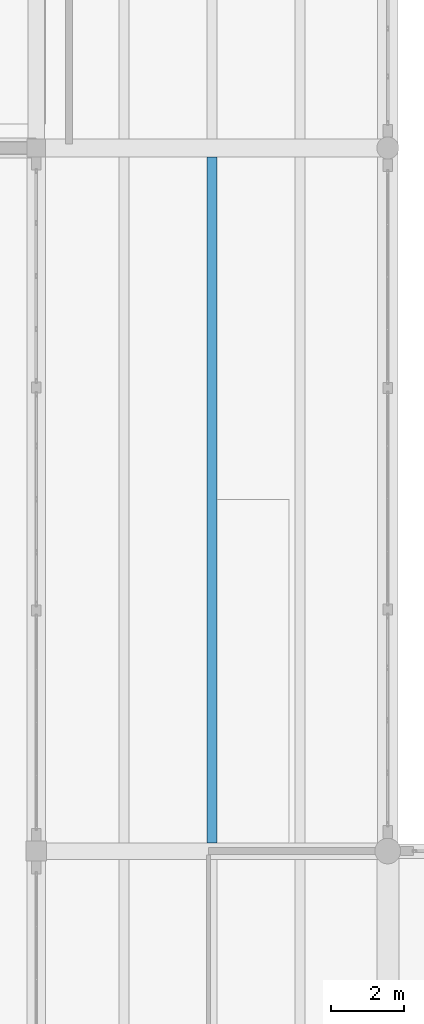
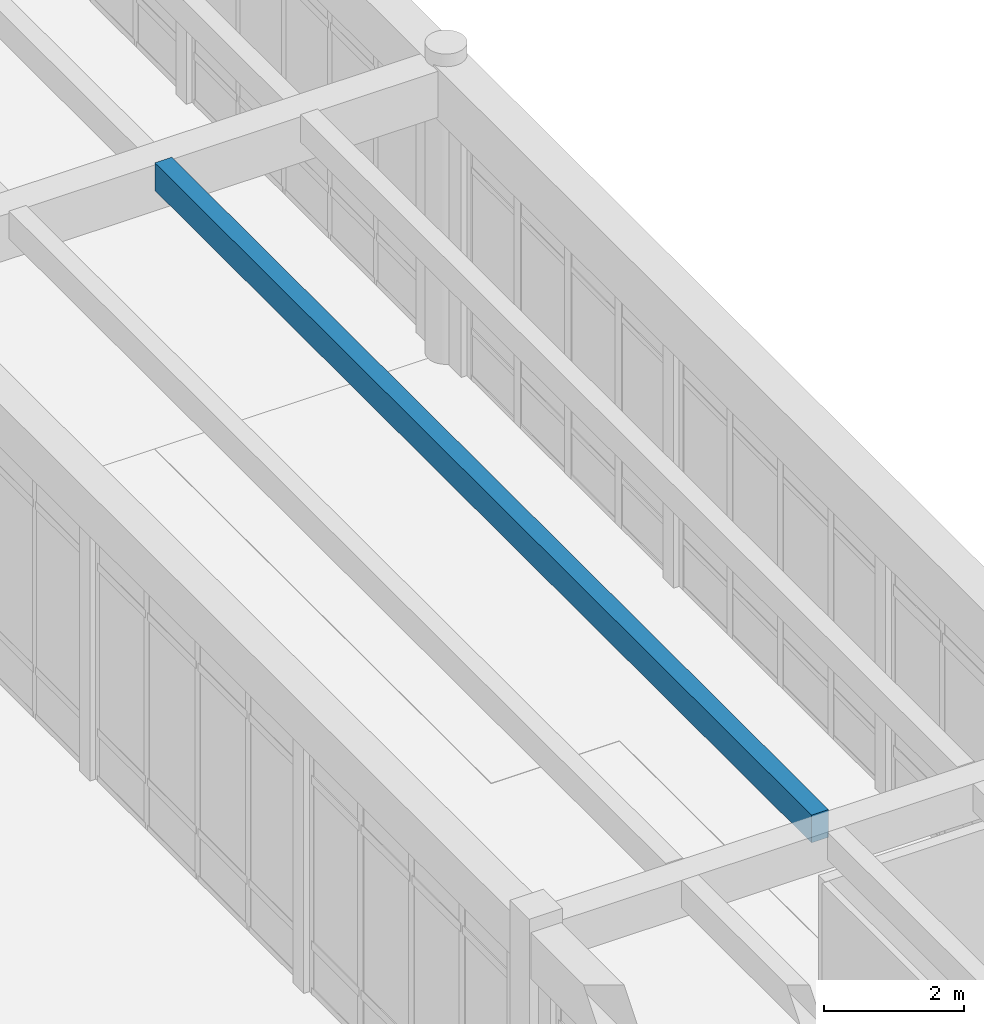
# One storey, part 78 of 138: 1 beam.
"""IFC4 building model written with IfcOpenShell, lengths in metres."""

from ifc_helpers import new_model, si_unit, direction, frame, origin, origin_2d, place, context, subcontext, project, spatial, rectangle, extrude, material, material_profile, profile_set, type_object, element, save


model = new_model("IFC4")

# Units and contexts
model_context = context("Model", 3, precision=1e-05, world=origin(), true_north=direction((0.0, 1.0)))
body_context = subcontext(model_context, "Body", "Model", "MODEL_VIEW")
ifc_project = project(units=[si_unit("LENGTHUNIT", "METRE"), si_unit("AREAUNIT", "SQUARE_METRE"), si_unit("VOLUMEUNIT", "CUBIC_METRE"), si_unit("PLANEANGLEUNIT", "RADIAN"), si_unit("MASSUNIT", "GRAM", prefix="KILO")], contexts=[model_context])

# Site, building, storey
site_placement = place(None, origin())
site = spatial("IfcSite", under=ifc_project, at=site_placement, CompositionType="ELEMENT")
building_placement = place(site_placement, origin())
building = spatial("IfcBuilding", under=site, at=building_placement, Name="Fikremerkos Civic Library", CompositionType="ELEMENT")
storey_placement = place(building_placement, origin())
storey = spatial("IfcBuildingStorey", under=building, at=storey_placement, Name="L00", CompositionType="ELEMENT", Elevation=0.0)

# Beam
ifc_material = material(Name="Concrete C40/50", Category="concrete")
ifc_material_profile = material_profile(ifc_material, rectangle(XDim=0.280029296875, YDim=0.47998046875, at=origin_2d()), Name="RC 280x480")
ifc_profile_set = profile_set([ifc_material_profile], Name="Concrete C40/50")
beam_type = type_object("IfcBeamType", Name="Floor joist JS-04 RC 280x480", PredefinedType="JOIST", material=ifc_profile_set)
beam_placement = place(storey_placement, frame((129.60009765625, 77.02490234375, 4.93994140625), z_axis=(0.0, 1.0, 0.0), x_axis=(-1.0, 0.0, 0.0)))
element("IfcBeam", 1, at=beam_placement, inside=storey, type_object=beam_type, Name="Floor joist JS-04 L00 #368", PredefinedType="JOIST", context=body_context, shape_type="SweptSolid", body=[
    extrude(rectangle(XDim=0.280029296875, YDim=0.47998046875, at=origin_2d()), origin(), (0.0, 0.0, 1.0), 18.72509765625),
])

save(model, "model.ifc")
